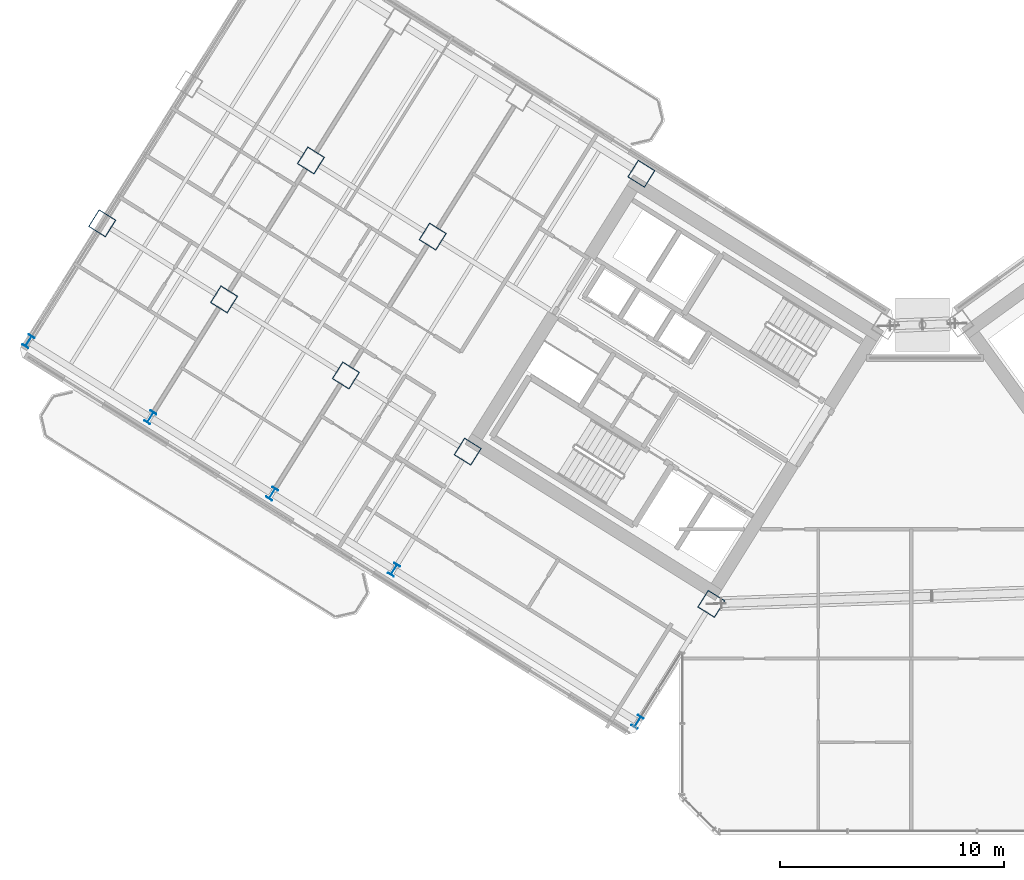
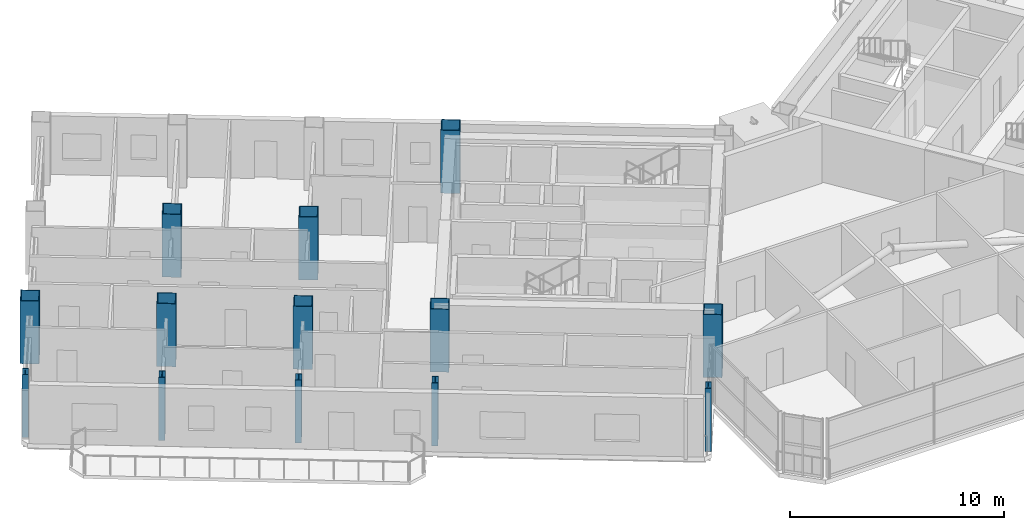
# One storey, part 1 of 29: 13 columns.
"""IFC4 building model written with IfcOpenShell, lengths in metres."""

from ifc_helpers import new_model, si_unit, direction, frame, origin, origin_2d, place, context, subcontext, project, spatial, hollow_rectangle, i_section, extrude, source, transform, mapped, material, material_profile, profile_set, type_object, element, save


model = new_model("IFC4")

# Units and contexts
model_context = context("Model", 3, precision=1e-05, world=origin(), true_north=direction((0.0, 1.0)))
body_context = subcontext(model_context, "Body", "Model", "MODEL_VIEW")
ifc_project = project(units=[si_unit("LENGTHUNIT", "METRE"), si_unit("AREAUNIT", "SQUARE_METRE"), si_unit("VOLUMEUNIT", "CUBIC_METRE"), si_unit("PLANEANGLEUNIT", "RADIAN"), si_unit("MASSUNIT", "GRAM", prefix="KILO")], contexts=[model_context])

# Site, building, storey
site_placement = place(None, origin())
site = spatial("IfcSite", under=ifc_project, at=site_placement, CompositionType="ELEMENT")
building_placement = place(site_placement, origin())
building = spatial("IfcBuilding", under=site, at=building_placement, Name="Tlacorven Tower", CompositionType="ELEMENT")
storey_placement = place(building_placement, frame((0.0, 0.0, 151.5)))
storey = spatial("IfcBuildingStorey", under=building, at=storey_placement, Name="L38", CompositionType="ELEMENT", Elevation=151.5)

# Columns
ifc_material = material(Name="Steel S460M", Category="steel")
ifc_material_profile_1 = material_profile(ifc_material, hollow_rectangle(XDim=0.89990234375, YDim=0.89990234375, WallThickness=0.035888671875, at=origin_2d()), Name="BOX 900X900X36")
ifc_profile_set_1 = profile_set([ifc_material_profile_1], Name="Steel S460M")
column_type_1 = type_object("IfcColumnType", Name="COL-TWR-S2", PredefinedType="COLUMN", material=ifc_profile_set_1)
shared_shape_1 = source(origin(), body_context, "Body", "SweptSolid", [
    extrude(hollow_rectangle(XDim=0.89990234375, YDim=0.89990234375, WallThickness=0.035888671875, at=origin_2d()), origin(), (0.0, 0.0, 1.0), 3.60009765625),
])
for number, where, z_axis, x_axis, name in (
    (1, (33.046142578125, 12.0869140625, 0.0), (0.0, 0.0, 1.0), (-0.848048096156, 0.529919264233, 0.0), "L38 column COL-L38-W1-3"),
    (2, (29.927978515625, 31.25146484375, 0.0), (0.0, 0.0, 1.0), (-0.848048096156, 0.529919264233, 0.0), "L38 column COL-L38-W3-1"),
    (3, (22.191162109375, 18.869873046875, 0.0), (0.0, 0.0, 1.0), (-0.848048096156, 0.529919264233, 0.0), "L38 column COL-L38-W3-3"),
    (4, (20.632080078125, 28.4521484375, 0.0), (0.0, 0.0, 1.0), (-0.848048096156, 0.529919264233, 0.0), "L38 column COL-L38-W4-2"),
    (5, (16.763671875, 22.26123046875, 0.0), (0.0, 0.0, 1.0), (-0.848048096156, 0.529919264233, 0.0), "L38 column COL-L38-W4-3"),
    (6, (15.20458984375, 31.843505859375, 0.0), (0.0, 0.0, 1.0), (-0.848048096156, 0.529919264233, 0.0), "L38 column COL-L38-W5-2"),
    (7, (11.336181640625, 25.65283203125, 0.0), (0.0, 0.0, 1.0), (-0.848048096156, 0.529919264233, 0.0), "L38 column COL-L38-W5-3"),
    (8, (5.90869140625, 29.044189453125, 0.0), (0.0, 0.0, 1.0), (-0.848048096156, 0.529919264233, 0.0), "L38 column COL-L38-W6-3"),
):
    element("IfcColumn", number, at=place(storey_placement, frame(where, z_axis=z_axis, x_axis=x_axis)), inside=storey, type_object=column_type_1, Name=name, PredefinedType="COLUMN", context=body_context, shape_type="MappedRepresentation", body=[
        mapped(shared_shape_1, transform((0.0, 0.0, 0.0), scale=1.0)),
    ])
ifc_material_profile_2 = material_profile(ifc_material, i_section(OverallWidth=0.300048828125, OverallDepth=0.550048828125, WebThickness=0.014892578125, FlangeThickness=0.029052734375, at=origin_2d()), Name="HEB 550")
ifc_profile_set_2 = profile_set([ifc_material_profile_2], Name="Steel S460M")
column_type_2 = type_object("IfcColumnType", Name="COL-TWR-P2", PredefinedType="COLUMN", material=ifc_profile_set_2)
shared_shape_2 = source(origin(), body_context, "Body", "SweptSolid", [
    extrude(i_section(OverallWidth=0.300048828125, OverallDepth=0.550048828125, WebThickness=0.014892578125, FlangeThickness=0.029052734375, at=origin_2d()), origin(), (0.0, 0.0, 1.0), 3.60009765625),
])
for number, where, z_axis, x_axis, name in (
    (9, (29.7607421875, 6.8291015625, 0.0), (0.0, 0.0, 1.0), (-0.848048096156, 0.529919264233, 0.0), "L38 column COL-L38-W1-4"),
    (10, (18.905517578125, 13.612060546875, 0.0), (0.0, 0.0, 1.0), (-0.848048096156, 0.529919264233, 0.0), "L38 column COL-L38-W3-4"),
    (11, (13.47802734375, 17.00341796875, 0.0), (0.0, 0.0, 1.0), (-0.848048096156, 0.529919264233, 0.0), "L38 column COL-L38-W4-4"),
    (12, (8.050537109375, 20.39501953125, 0.0), (0.0, 0.0, 1.0), (-0.848048096156, 0.529919264233, 0.0), "L38 column COL-L38-W5-4"),
    (13, (2.623046875, 23.786376953125, 0.0), (0.0, 0.0, 1.0), (-0.848048096156, 0.529919264233, 0.0), "L38 column COL-L38-W6-4"),
):
    element("IfcColumn", number, at=place(storey_placement, frame(where, z_axis=z_axis, x_axis=x_axis)), inside=storey, type_object=column_type_2, Name=name, PredefinedType="COLUMN", context=body_context, shape_type="MappedRepresentation", body=[
        mapped(shared_shape_2, transform((0.0, 0.0, 0.0), scale=1.0)),
    ])

save(model, "model.ifc")
